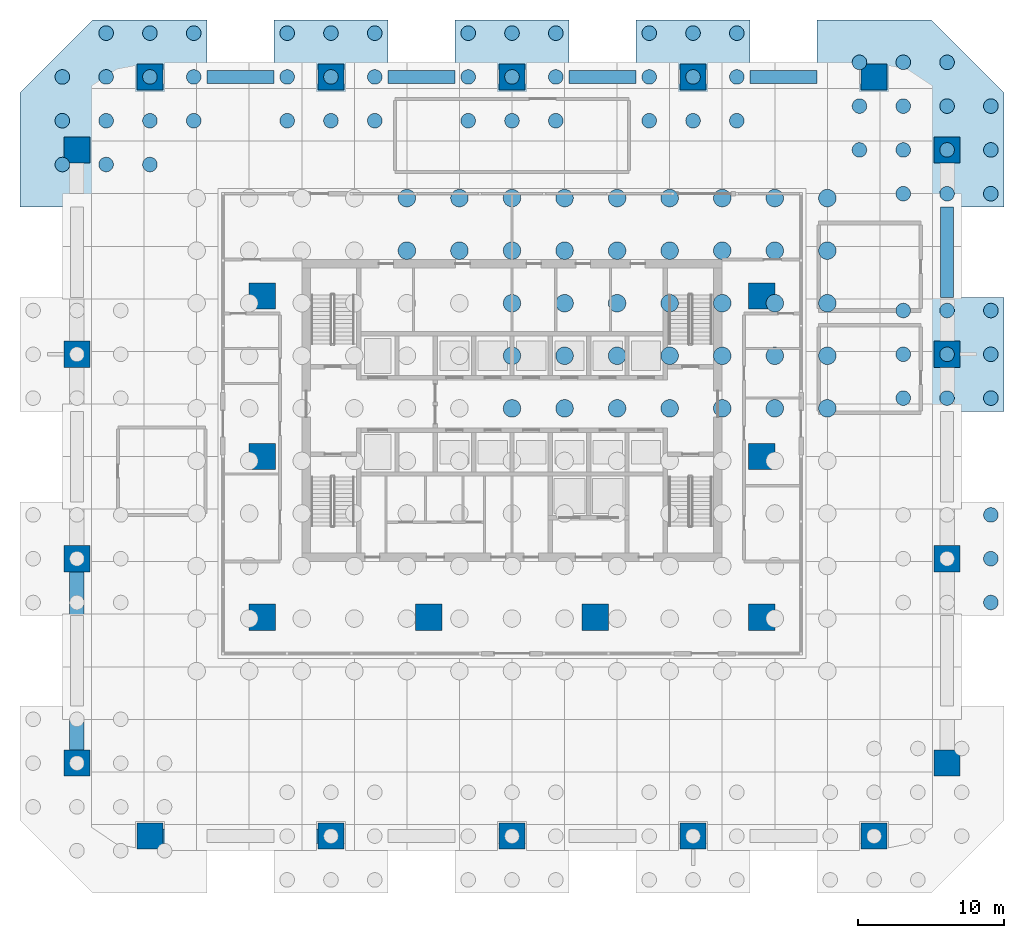
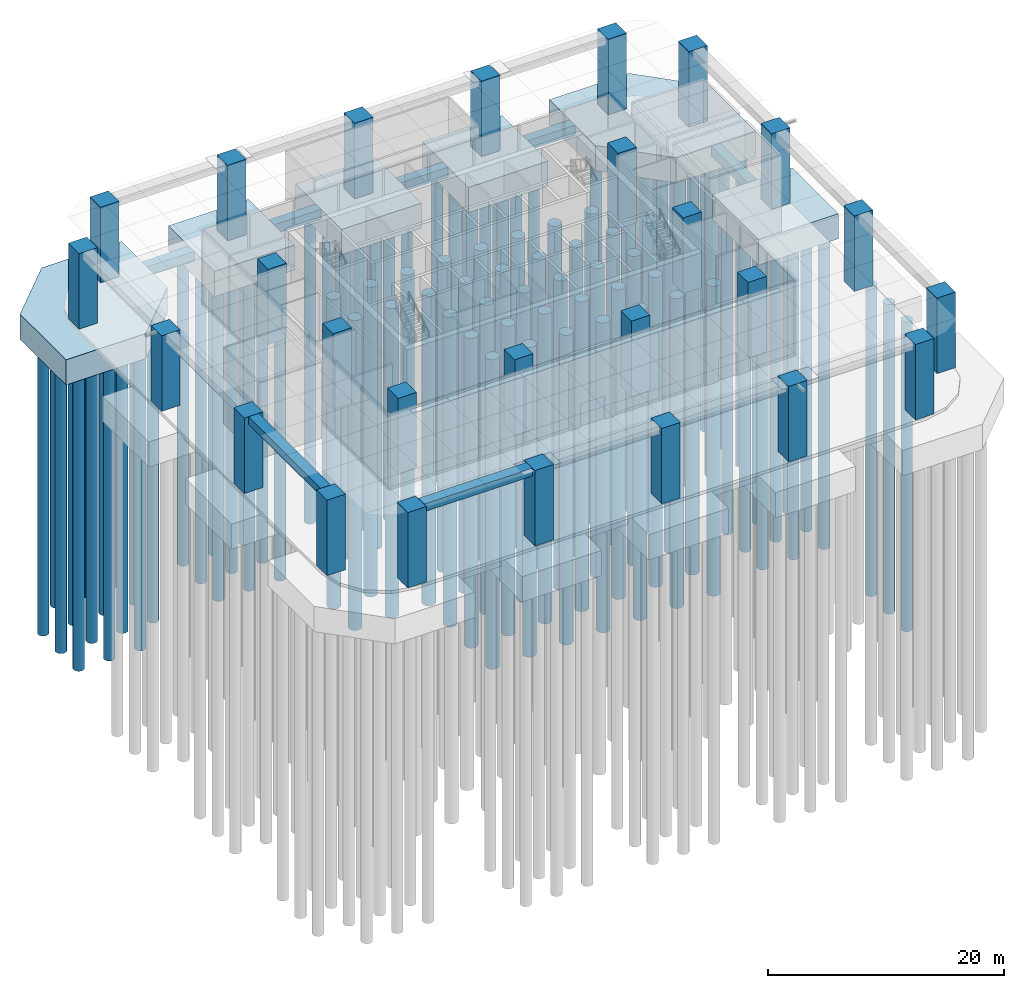
# One storey, part 2 of 18: 106 piles, 26 columns, 11 footings, 2 beams.
"""IFC4 building model written with IfcOpenShell, lengths in metres."""

from ifc_helpers import new_model, si_unit, direction, frame, origin, origin_2d, place, context, subcontext, project, spatial, polyline, rectangle, circle, outline, extrude, material, layer, layer_set, material_profile, profile_set, type_object, element, save


model = new_model("IFC4")

# Units and contexts
model_context = context("Model", 3, precision=1e-05, world=origin(), true_north=direction((0.0, 1.0)))
body_context = subcontext(model_context, "Body", "Model", "MODEL_VIEW")
ifc_project = project(units=[si_unit("LENGTHUNIT", "METRE"), si_unit("AREAUNIT", "SQUARE_METRE"), si_unit("VOLUMEUNIT", "CUBIC_METRE"), si_unit("PLANEANGLEUNIT", "RADIAN"), si_unit("MASSUNIT", "GRAM", prefix="KILO")], contexts=[model_context])

# Site, building, storey
site_placement = place(None, origin())
site = spatial("IfcSite", under=ifc_project, at=site_placement, CompositionType="ELEMENT")
building_placement = place(site_placement, origin())
building = spatial("IfcBuilding", under=site, at=building_placement, Name="Mopane Tessera Tower", CompositionType="ELEMENT")
storey_placement = place(building_placement, origin())
storey = spatial("IfcBuildingStorey", under=building, at=storey_placement, Name="L00", CompositionType="ELEMENT", Elevation=0.0)

# Piles
ifc_material_1 = material(Name="Concrete C35/45", Category="concrete")
ifc_material_profile_1 = material_profile(ifc_material_1, circle(Radius=0.5, at=origin_2d()))
ifc_profile_set_1 = profile_set([ifc_material_profile_1], Name="Concrete C35/45")
pile_type_1 = type_object("IfcPileType", Name="Bored pile 1000 mm", PredefinedType="BORED", material=ifc_profile_set_1)
for number, where, z_axis, x_axis, name in (
    (1, (32.800048828125, -10.0, -2.89990234375), (0.0, 0.0, -1.0), (1.0, 0.0, 0.0), "s:pile:E1:+0328:-0100"),
    (2, (32.800048828125, -7.0, -2.89990234375), (0.0, 0.0, -1.0), (1.0, 0.0, 0.0), "s:pile:E1:+0328:-0070"),
    (3, (32.800048828125, -4.0, -2.89990234375), (0.0, 0.0, -1.0), (1.0, 0.0, 0.0), "s:pile:E1:+0328:-0040"),
    (4, (26.800048828125, 4.0, -2.89990234375), (0.0, 0.0, -1.0), (1.0, 0.0, 0.0), "s:pile:E2:+0268:+0040"),
    (5, (26.800048828125, 7.0, -2.89990234375), (0.0, 0.0, -1.0), (1.0, 0.0, 0.0), "s:pile:E2:+0268:+0070"),
    (6, (26.800048828125, 10.0, -2.89990234375), (0.0, 0.0, -1.0), (1.0, 0.0, 0.0), "s:pile:E2:+0268:+0100"),
    (7, (29.800048828125, 4.0, -2.89990234375), (0.0, 0.0, -1.0), (1.0, 0.0, 0.0), "s:pile:E2:+0298:+0040"),
    (8, (29.800048828125, 7.0, -2.89990234375), (0.0, 0.0, -1.0), (1.0, 0.0, 0.0), "s:pile:E2:+0298:+0070"),
    (9, (29.800048828125, 10.0, -2.89990234375), (0.0, 0.0, -1.0), (1.0, 0.0, 0.0), "s:pile:E2:+0298:+0100"),
    (10, (32.800048828125, 4.0, -2.89990234375), (0.0, 0.0, -1.0), (1.0, 0.0, 0.0), "s:pile:E2:+0328:+0040"),
    (11, (32.800048828125, 7.0, -2.89990234375), (0.0, 0.0, -1.0), (1.0, 0.0, 0.0), "s:pile:E2:+0328:+0070"),
    (12, (32.800048828125, 10.0, -2.89990234375), (0.0, 0.0, -1.0), (1.0, 0.0, 0.0), "s:pile:E2:+0328:+0100"),
    (13, (9.39990234375, 23.0, -2.89990234375), (0.0, 0.0, -1.0), (1.0, 0.0, 0.0), "s:pile:N1:+0094:+0230"),
    (14, (9.39990234375, 26.0, -2.89990234375), (0.0, 0.0, -1.0), (1.0, 0.0, 0.0), "s:pile:N1:+0094:+0260"),
    (15, (9.39990234375, 29.0, -2.89990234375), (0.0, 0.0, -1.0), (1.0, 0.0, 0.0), "s:pile:N1:+0094:+0290"),
    (16, (12.39990234375, 23.0, -2.89990234375), (0.0, 0.0, -1.0), (1.0, 0.0, 0.0), "s:pile:N1:+0124:+0230"),
    (17, (12.39990234375, 26.0, -2.89990234375), (0.0, 0.0, -1.0), (1.0, 0.0, 0.0), "s:pile:N1:+0124:+0260"),
    (18, (12.39990234375, 29.0, -2.89990234375), (0.0, 0.0, -1.0), (1.0, 0.0, 0.0), "s:pile:N1:+0124:+0290"),
    (19, (15.39990234375, 23.0, -2.89990234375), (0.0, 0.0, -1.0), (1.0, 0.0, 0.0), "s:pile:N1:+0154:+0230"),
    (20, (15.39990234375, 26.0, -2.89990234375), (0.0, 0.0, -1.0), (1.0, 0.0, 0.0), "s:pile:N1:+0154:+0260"),
    (21, (15.39990234375, 29.0, -2.89990234375), (0.0, 0.0, -1.0), (1.0, 0.0, 0.0), "s:pile:N1:+0154:+0290"),
    (22, (-3.0, 23.0, -2.89990234375), (0.0, 0.0, -1.0), (1.0, 0.0, 0.0), "s:pile:N2:-0030:+0230"),
    (23, (-3.0, 26.0, -2.89990234375), (0.0, 0.0, -1.0), (1.0, 0.0, 0.0), "s:pile:N2:-0030:+0260"),
    (24, (-3.0, 29.0, -2.89990234375), (0.0, 0.0, -1.0), (1.0, 0.0, 0.0), "s:pile:N2:-0030:+0290"),
    (25, (0.0, 23.0, -2.89990234375), (0.0, 0.0, -1.0), (1.0, 0.0, 0.0), "s:pile:N2:+0000:+0230"),
    (26, (0.0, 26.0, -2.89990234375), (0.0, 0.0, -1.0), (1.0, 0.0, 0.0), "s:pile:N2:+0000:+0260"),
    (27, (0.0, 29.0, -2.89990234375), (0.0, 0.0, -1.0), (1.0, 0.0, 0.0), "s:pile:N2:+0000:+0290"),
    (28, (3.0, 23.0, -2.89990234375), (0.0, 0.0, -1.0), (1.0, 0.0, 0.0), "s:pile:N2:+0030:+0230"),
    (29, (3.0, 26.0, -2.89990234375), (0.0, 0.0, -1.0), (1.0, 0.0, 0.0), "s:pile:N2:+0030:+0260"),
    (30, (3.0, 29.0, -2.89990234375), (0.0, 0.0, -1.0), (1.0, 0.0, 0.0), "s:pile:N2:+0030:+0290"),
    (31, (-15.39990234375, 23.0, -2.89990234375), (0.0, 0.0, -1.0), (1.0, 0.0, 0.0), "s:pile:N3:-0154:+0230"),
    (32, (-15.39990234375, 26.0, -2.89990234375), (0.0, 0.0, -1.0), (1.0, 0.0, 0.0), "s:pile:N3:-0154:+0260"),
    (33, (-15.39990234375, 29.0, -2.89990234375), (0.0, 0.0, -1.0), (1.0, 0.0, 0.0), "s:pile:N3:-0154:+0290"),
    (34, (-12.39990234375, 23.0, -2.89990234375), (0.0, 0.0, -1.0), (1.0, 0.0, 0.0), "s:pile:N3:-0124:+0230"),
    (35, (-12.39990234375, 26.0, -2.89990234375), (0.0, 0.0, -1.0), (1.0, 0.0, 0.0), "s:pile:N3:-0124:+0260"),
    (36, (-12.39990234375, 29.0, -2.89990234375), (0.0, 0.0, -1.0), (1.0, 0.0, 0.0), "s:pile:N3:-0124:+0290"),
    (37, (-9.39990234375, 23.0, -2.89990234375), (0.0, 0.0, -1.0), (1.0, 0.0, 0.0), "s:pile:N3:-0094:+0230"),
    (38, (-9.39990234375, 26.0, -2.89990234375), (0.0, 0.0, -1.0), (1.0, 0.0, 0.0), "s:pile:N3:-0094:+0260"),
    (39, (-9.39990234375, 29.0, -2.89990234375), (0.0, 0.0, -1.0), (1.0, 0.0, 0.0), "s:pile:N3:-0094:+0290"),
    (40, (23.800048828125, 21.0, -2.89990234375), (0.0, 0.0, -1.0), (1.0, 0.0, 0.0), "s:pile:E3-N0:+0238:+0210"),
    (41, (23.800048828125, 24.0, -2.89990234375), (0.0, 0.0, -1.0), (1.0, 0.0, 0.0), "s:pile:E3-N0:+0238:+0240"),
    (42, (23.800048828125, 27.0, -2.89990234375), (0.0, 0.0, -1.0), (1.0, 0.0, 0.0), "s:pile:E3-N0:+0238:+0270"),
    (43, (26.800048828125, 18.0, -2.89990234375), (0.0, 0.0, -1.0), (1.0, 0.0, 0.0), "s:pile:E3-N0:+0268:+0180"),
    (44, (26.800048828125, 21.0, -2.89990234375), (0.0, 0.0, -1.0), (1.0, 0.0, 0.0), "s:pile:E3-N0:+0268:+0210"),
    (45, (26.800048828125, 24.0, -2.89990234375), (0.0, 0.0, -1.0), (1.0, 0.0, 0.0), "s:pile:E3-N0:+0268:+0240"),
    (46, (26.800048828125, 27.0, -2.89990234375), (0.0, 0.0, -1.0), (1.0, 0.0, 0.0), "s:pile:E3-N0:+0268:+0270"),
    (47, (29.800048828125, 18.0, -2.89990234375), (0.0, 0.0, -1.0), (1.0, 0.0, 0.0), "s:pile:E3-N0:+0298:+0180"),
    (48, (29.800048828125, 21.0, -2.89990234375), (0.0, 0.0, -1.0), (1.0, 0.0, 0.0), "s:pile:E3-N0:+0298:+0210"),
    (49, (29.800048828125, 24.0, -2.89990234375), (0.0, 0.0, -1.0), (1.0, 0.0, 0.0), "s:pile:E3-N0:+0298:+0240"),
    (50, (29.800048828125, 27.0, -2.89990234375), (0.0, 0.0, -1.0), (1.0, 0.0, 0.0), "s:pile:E3-N0:+0298:+0270"),
    (51, (32.800048828125, 18.0, -2.89990234375), (0.0, 0.0, -1.0), (1.0, 0.0, 0.0), "s:pile:E3-N0:+0328:+0180"),
    (52, (32.800048828125, 21.0, -2.89990234375), (0.0, 0.0, -1.0), (1.0, 0.0, 0.0), "s:pile:E3-N0:+0328:+0210"),
    (53, (32.800048828125, 24.0, -2.89990234375), (0.0, 0.0, -1.0), (1.0, 0.0, 0.0), "s:pile:E3-N0:+0328:+0240"),
    (54, (-30.800048828125, 20.0, -2.89990234375), (0.0, 0.0, -1.0), (1.0, 0.0, 0.0), "s:pile:N4-W0:-0308:+0200"),
    (55, (-30.800048828125, 23.0, -2.89990234375), (0.0, 0.0, -1.0), (1.0, 0.0, 0.0), "s:pile:N4-W0:-0308:+0230"),
    (56, (-30.800048828125, 26.0, -2.89990234375), (0.0, 0.0, -1.0), (1.0, 0.0, 0.0), "s:pile:N4-W0:-0308:+0260"),
    (57, (-27.800048828125, 20.0, -2.89990234375), (0.0, 0.0, -1.0), (1.0, 0.0, 0.0), "s:pile:N4-W0:-0278:+0200"),
    (58, (-27.800048828125, 23.0, -2.89990234375), (0.0, 0.0, -1.0), (1.0, 0.0, 0.0), "s:pile:N4-W0:-0278:+0230"),
    (59, (-27.800048828125, 26.0, -2.89990234375), (0.0, 0.0, -1.0), (1.0, 0.0, 0.0), "s:pile:N4-W0:-0278:+0260"),
    (60, (-27.800048828125, 29.0, -2.89990234375), (0.0, 0.0, -1.0), (1.0, 0.0, 0.0), "s:pile:N4-W0:-0278:+0290"),
    (61, (-24.800048828125, 20.0, -2.89990234375), (0.0, 0.0, -1.0), (1.0, 0.0, 0.0), "s:pile:N4-W0:-0248:+0200"),
    (62, (-24.800048828125, 23.0, -2.89990234375), (0.0, 0.0, -1.0), (1.0, 0.0, 0.0), "s:pile:N4-W0:-0248:+0230"),
    (63, (-24.800048828125, 26.0, -2.89990234375), (0.0, 0.0, -1.0), (1.0, 0.0, 0.0), "s:pile:N4-W0:-0248:+0260"),
    (64, (-24.800048828125, 29.0, -2.89990234375), (0.0, 0.0, -1.0), (1.0, 0.0, 0.0), "s:pile:N4-W0:-0248:+0290"),
    (65, (-21.800048828125, 23.0, -2.89990234375), (0.0, 0.0, -1.0), (1.0, 0.0, 0.0), "s:pile:N4-W0:-0218:+0230"),
    (66, (-21.800048828125, 26.0, -2.89990234375), (0.0, 0.0, -1.0), (1.0, 0.0, 0.0), "s:pile:N4-W0:-0218:+0260"),
    (67, (-21.800048828125, 29.0, -2.89990234375), (0.0, 0.0, -1.0), (1.0, 0.0, 0.0), "s:pile:N4-W0:-0218:+0290"),
):
    element("IfcPile", number, at=place(storey_placement, frame(where, z_axis=z_axis, x_axis=x_axis)), inside=storey, type_object=pile_type_1, Name=name, PredefinedType="BORED", context=body_context, shape_type="SweptSolid", body=[
        extrude(circle(Radius=0.5, at=origin_2d()), origin(), (0.0, 0.0, 1.0), 32.0),
    ])
ifc_material_2 = material(Name="Concrete C35/45", Category="concrete")
ifc_material_profile_2 = material_profile(ifc_material_2, circle(Radius=0.60009765625, at=origin_2d()))
ifc_profile_set_2 = profile_set([ifc_material_profile_2], Name="Concrete C35/45")
pile_type_2 = type_object("IfcPileType", Name="Bored pile 1200 mm", PredefinedType="BORED", material=ifc_profile_set_2)
for number, where, z_axis, x_axis, name in (
    (68, (-7.199951171875, 14.10009765625, -3.300048828125), (0.0, 0.0, -1.0), (1.0, 0.0, 0.0), "s:pile:R:04:08"),
    (69, (-7.199951171875, 17.699951171875, -3.300048828125), (0.0, 0.0, -1.0), (1.0, 0.0, 0.0), "s:pile:R:04:09"),
    (70, (-3.60009765625, 14.10009765625, -3.300048828125), (0.0, 0.0, -1.0), (1.0, 0.0, 0.0), "s:pile:R:05:08"),
    (71, (-3.60009765625, 17.699951171875, -3.300048828125), (0.0, 0.0, -1.0), (1.0, 0.0, 0.0), "s:pile:R:05:09"),
    (72, (0.0, 3.300048828125, -3.300048828125), (0.0, 0.0, -1.0), (1.0, 0.0, 0.0), "s:pile:R:06:05"),
    (73, (0.0, 6.89990234375, -3.300048828125), (0.0, 0.0, -1.0), (1.0, 0.0, 0.0), "s:pile:R:06:06"),
    (74, (0.0, 10.5, -3.300048828125), (0.0, 0.0, -1.0), (1.0, 0.0, 0.0), "s:pile:R:06:07"),
    (75, (0.0, 14.10009765625, -3.300048828125), (0.0, 0.0, -1.0), (1.0, 0.0, 0.0), "s:pile:R:06:08"),
    (76, (0.0, 17.699951171875, -3.300048828125), (0.0, 0.0, -1.0), (1.0, 0.0, 0.0), "s:pile:R:06:09"),
    (77, (3.60009765625, 3.300048828125, -3.300048828125), (0.0, 0.0, -1.0), (1.0, 0.0, 0.0), "s:pile:R:07:05"),
    (78, (3.60009765625, 6.89990234375, -3.300048828125), (0.0, 0.0, -1.0), (1.0, 0.0, 0.0), "s:pile:R:07:06"),
    (79, (3.60009765625, 10.5, -3.300048828125), (0.0, 0.0, -1.0), (1.0, 0.0, 0.0), "s:pile:R:07:07"),
    (80, (3.60009765625, 14.10009765625, -3.300048828125), (0.0, 0.0, -1.0), (1.0, 0.0, 0.0), "s:pile:R:07:08"),
    (81, (3.60009765625, 17.699951171875, -3.300048828125), (0.0, 0.0, -1.0), (1.0, 0.0, 0.0), "s:pile:R:07:09"),
    (82, (7.199951171875, 3.300048828125, -3.300048828125), (0.0, 0.0, -1.0), (1.0, 0.0, 0.0), "s:pile:R:08:05"),
    (83, (7.199951171875, 6.89990234375, -3.300048828125), (0.0, 0.0, -1.0), (1.0, 0.0, 0.0), "s:pile:R:08:06"),
    (84, (7.199951171875, 10.5, -3.300048828125), (0.0, 0.0, -1.0), (1.0, 0.0, 0.0), "s:pile:R:08:07"),
    (85, (7.199951171875, 14.10009765625, -3.300048828125), (0.0, 0.0, -1.0), (1.0, 0.0, 0.0), "s:pile:R:08:08"),
    (86, (7.199951171875, 17.699951171875, -3.300048828125), (0.0, 0.0, -1.0), (1.0, 0.0, 0.0), "s:pile:R:08:09"),
    (87, (10.800048828125, 3.300048828125, -3.300048828125), (0.0, 0.0, -1.0), (1.0, 0.0, 0.0), "s:pile:R:09:05"),
    (88, (10.800048828125, 6.89990234375, -3.300048828125), (0.0, 0.0, -1.0), (1.0, 0.0, 0.0), "s:pile:R:09:06"),
    (89, (10.800048828125, 10.5, -3.300048828125), (0.0, 0.0, -1.0), (1.0, 0.0, 0.0), "s:pile:R:09:07"),
    (90, (10.800048828125, 14.10009765625, -3.300048828125), (0.0, 0.0, -1.0), (1.0, 0.0, 0.0), "s:pile:R:09:08"),
    (91, (10.800048828125, 17.699951171875, -3.300048828125), (0.0, 0.0, -1.0), (1.0, 0.0, 0.0), "s:pile:R:09:09"),
    (92, (14.39990234375, 3.300048828125, -3.300048828125), (0.0, 0.0, -1.0), (1.0, 0.0, 0.0), "s:pile:R:10:05"),
    (93, (14.39990234375, 6.89990234375, -3.300048828125), (0.0, 0.0, -1.0), (1.0, 0.0, 0.0), "s:pile:R:10:06"),
    (94, (14.39990234375, 10.5, -3.300048828125), (0.0, 0.0, -1.0), (1.0, 0.0, 0.0), "s:pile:R:10:07"),
    (95, (14.39990234375, 14.10009765625, -3.300048828125), (0.0, 0.0, -1.0), (1.0, 0.0, 0.0), "s:pile:R:10:08"),
    (96, (14.39990234375, 17.699951171875, -3.300048828125), (0.0, 0.0, -1.0), (1.0, 0.0, 0.0), "s:pile:R:10:09"),
    (97, (18.0, 3.300048828125, -3.300048828125), (0.0, 0.0, -1.0), (1.0, 0.0, 0.0), "s:pile:R:11:05"),
    (98, (18.0, 6.89990234375, -3.300048828125), (0.0, 0.0, -1.0), (1.0, 0.0, 0.0), "s:pile:R:11:06"),
    (99, (18.0, 10.5, -3.300048828125), (0.0, 0.0, -1.0), (1.0, 0.0, 0.0), "s:pile:R:11:07"),
    (100, (18.0, 14.10009765625, -3.300048828125), (0.0, 0.0, -1.0), (1.0, 0.0, 0.0), "s:pile:R:11:08"),
    (101, (18.0, 17.699951171875, -3.300048828125), (0.0, 0.0, -1.0), (1.0, 0.0, 0.0), "s:pile:R:11:09"),
    (102, (21.60009765625, 3.300048828125, -3.300048828125), (0.0, 0.0, -1.0), (1.0, 0.0, 0.0), "s:pile:R:12:05"),
    (103, (21.60009765625, 6.89990234375, -3.300048828125), (0.0, 0.0, -1.0), (1.0, 0.0, 0.0), "s:pile:R:12:06"),
    (104, (21.60009765625, 10.5, -3.300048828125), (0.0, 0.0, -1.0), (1.0, 0.0, 0.0), "s:pile:R:12:07"),
    (105, (21.60009765625, 14.10009765625, -3.300048828125), (0.0, 0.0, -1.0), (1.0, 0.0, 0.0), "s:pile:R:12:08"),
    (106, (21.60009765625, 17.699951171875, -3.300048828125), (0.0, 0.0, -1.0), (1.0, 0.0, 0.0), "s:pile:R:12:09"),
):
    element("IfcPile", number, at=place(storey_placement, frame(where, z_axis=z_axis, x_axis=x_axis)), inside=storey, type_object=pile_type_2, Name=name, PredefinedType="BORED", context=body_context, shape_type="SweptSolid", body=[
        extrude(circle(Radius=0.60009765625, at=origin_2d()), origin(), (0.0, 0.0, 1.0), 32.0),
    ])

# Footings
ifc_material_3 = material(Name="Concrete C40/50", Category="concrete")
ifc_layer_1 = layer(ifc_material_3, 2.60009765625)
ifc_layer_set_1 = layer_set([ifc_layer_1], Name="Concrete C40/50")
footing_type_1 = type_object("IfcFootingType", Name="Corner pile cap 2600 mm", PredefinedType="PILE_CAP", material=ifc_layer_set_1)
footing_1_placement = place(storey_placement, frame((0.0, 0.0, -2.89990234375)))
element("IfcFooting", 107, at=footing_1_placement, inside=storey, type_object=footing_type_1, Name="cap:E3-N0", PredefinedType="PILE_CAP", context=body_context, shape_type="SweptSolid", body=[
    extrude(outline(polyline([(33.699951171875, 17.10009765625), (33.699951171875, 24.89990234375), (28.699951171875, 29.89990234375), (20.89990234375, 29.89990234375), (20.89990234375, 22.10009765625), (25.89990234375, 17.10009765625), (33.699951171875, 17.10009765625)])), origin(), (0.0, 0.0, 1.0), 2.599853515625),
])
footing_2_placement = place(storey_placement, frame((0.0, 0.0, -2.89990234375)))
element("IfcFooting", 108, at=footing_2_placement, inside=storey, type_object=footing_type_1, Name="cap:N4-W0", PredefinedType="PILE_CAP", context=body_context, shape_type="SweptSolid", body=[
    extrude(outline(polyline([(-25.89990234375, 17.10009765625), (-20.89990234375, 22.10009765625), (-20.89990234375, 29.89990234375), (-28.699951171875, 29.89990234375), (-33.699951171875, 24.89990234375), (-33.699951171875, 17.10009765625), (-25.89990234375, 17.10009765625)])), origin(), (0.0, 0.0, 1.0), 2.599853515625),
])
ifc_material_4 = material(Name="Concrete C40/50", Category="concrete")
footing_type_2 = type_object("IfcFootingType", Name="Ground beam 900 MM x 1000 MM", PredefinedType="FOOTING_BEAM", material=ifc_material_4)
footing_3_placement = place(storey_placement, frame((0.0, 0.0, -1.300048828125)))
element("IfcFooting", 109, at=footing_3_placement, inside=storey, type_object=footing_type_2, Name="Ground beam E2-E3", PredefinedType="FOOTING_BEAM", context=body_context, shape_type="SweptSolid", body=[
    extrude(outline(polyline([(30.25, 17.10009765625), (29.35009765625, 17.10009765625), (29.35009765625, 10.89990234375), (30.25, 10.89990234375), (30.25, 17.10009765625)])), origin(), (0.0, 0.0, 1.0), 1.0),
])
footing_4_placement = place(storey_placement, frame((0.0, 0.0, -1.300048828125)))
element("IfcFooting", 110, at=footing_4_placement, inside=storey, type_object=footing_type_2, Name="Ground beam N0-N1", PredefinedType="FOOTING_BEAM", context=body_context, shape_type="SweptSolid", body=[
    extrude(outline(polyline([(20.89990234375, 26.449951171875), (16.300048828125, 26.449951171875), (16.300048828125, 25.550048828125), (20.89990234375, 25.550048828125), (20.89990234375, 26.449951171875)])), origin(), (0.0, 0.0, 1.0), 1.0),
])
footing_5_placement = place(storey_placement, frame((0.0, 0.0, -1.300048828125)))
element("IfcFooting", 111, at=footing_5_placement, inside=storey, type_object=footing_type_2, Name="Ground beam N1-N2", PredefinedType="FOOTING_BEAM", context=body_context, shape_type="SweptSolid", body=[
    extrude(outline(polyline([(8.5, 26.449951171875), (3.89990234375, 26.449951171875), (3.89990234375, 25.550048828125), (8.5, 25.550048828125), (8.5, 26.449951171875)])), origin(), (0.0, 0.0, 1.0), 1.0),
])
footing_6_placement = place(storey_placement, frame((0.0, 0.0, -1.300048828125)))
element("IfcFooting", 112, at=footing_6_placement, inside=storey, type_object=footing_type_2, Name="Ground beam N2-N3", PredefinedType="FOOTING_BEAM", context=body_context, shape_type="SweptSolid", body=[
    extrude(outline(polyline([(-3.89990234375, 26.449951171875), (-8.5, 26.449951171875), (-8.5, 25.550048828125), (-3.89990234375, 25.550048828125), (-3.89990234375, 26.449951171875)])), origin(), (0.0, 0.0, 1.0), 1.0),
])
footing_7_placement = place(storey_placement, frame((0.0, 0.0, -1.300048828125)))
element("IfcFooting", 113, at=footing_7_placement, inside=storey, type_object=footing_type_2, Name="Ground beam N3-N4", PredefinedType="FOOTING_BEAM", context=body_context, shape_type="SweptSolid", body=[
    extrude(outline(polyline([(-16.300048828125, 26.449951171875), (-20.89990234375, 26.449951171875), (-20.89990234375, 25.550048828125), (-16.300048828125, 25.550048828125), (-16.300048828125, 26.449951171875)])), origin(), (0.0, 0.0, 1.0), 1.0),
])
ifc_material_5 = material(Name="Concrete C40/50", Category="concrete")
ifc_layer_2 = layer(ifc_material_5, 2.60009765625)
ifc_layer_set_2 = layer_set([ifc_layer_2], Name="Concrete C40/50")
footing_type_3 = type_object("IfcFootingType", Name="Perimeter pile cap 2600 mm", PredefinedType="PILE_CAP", material=ifc_layer_set_2)
footing_8_placement = place(storey_placement, frame((0.0, 0.0, -2.89990234375)))
element("IfcFooting", 114, at=footing_8_placement, inside=storey, type_object=footing_type_3, Name="cap:E2", PredefinedType="PILE_CAP", context=body_context, shape_type="SweptSolid", body=[
    extrude(outline(polyline([(33.699951171875, 10.89990234375), (25.89990234375, 10.89990234375), (25.89990234375, 3.10009765625), (33.699951171875, 3.10009765625), (33.699951171875, 10.89990234375)])), origin(), (0.0, 0.0, 1.0), 2.599853515625),
])
footing_9_placement = place(storey_placement, frame((0.0, 0.0, -2.89990234375)))
element("IfcFooting", 115, at=footing_9_placement, inside=storey, type_object=footing_type_3, Name="cap:N1", PredefinedType="PILE_CAP", context=body_context, shape_type="SweptSolid", body=[
    extrude(outline(polyline([(16.300048828125, 29.89990234375), (8.5, 29.89990234375), (8.5, 22.10009765625), (16.300048828125, 22.10009765625), (16.300048828125, 29.89990234375)])), origin(), (0.0, 0.0, 1.0), 2.599853515625),
])
footing_10_placement = place(storey_placement, frame((0.0, 0.0, -2.89990234375)))
element("IfcFooting", 116, at=footing_10_placement, inside=storey, type_object=footing_type_3, Name="cap:N2", PredefinedType="PILE_CAP", context=body_context, shape_type="SweptSolid", body=[
    extrude(outline(polyline([(3.89990234375, 29.89990234375), (-3.89990234375, 29.89990234375), (-3.89990234375, 22.10009765625), (3.89990234375, 22.10009765625), (3.89990234375, 29.89990234375)])), origin(), (0.0, 0.0, 1.0), 2.599853515625),
])
footing_11_placement = place(storey_placement, frame((0.0, 0.0, -2.89990234375)))
element("IfcFooting", 117, at=footing_11_placement, inside=storey, type_object=footing_type_3, Name="cap:N3", PredefinedType="PILE_CAP", context=body_context, shape_type="SweptSolid", body=[
    extrude(outline(polyline([(-8.5, 29.89990234375), (-16.300048828125, 29.89990234375), (-16.300048828125, 22.10009765625), (-8.5, 22.10009765625), (-8.5, 29.89990234375)])), origin(), (0.0, 0.0, 1.0), 2.599853515625),
])

# Columns
ifc_material_6 = material(Name="Concrete C60/75", Category="concrete")
ifc_material_profile_3 = material_profile(ifc_material_6, rectangle(XDim=1.800048828125, YDim=1.800048828125, at=origin_2d()))
ifc_profile_set_3 = profile_set([ifc_material_profile_3], Name="Concrete C60/75")
column_type_1 = type_object("IfcColumnType", Name="Interior column 1800 x 1800 C60/75", PredefinedType="COLUMN", material=ifc_profile_set_3)
for number, where, z_axis, x_axis, name in (
    (118, (-17.10009765625, -11.0, 0.0), (0.0, 0.0, 1.0), (1.0, 0.0, 0.0), "Interior column I1A L00"),
    (119, (-17.10009765625, 0.0, 0.0), (0.0, 0.0, 1.0), (1.0, 0.0, 0.0), "Interior column I1B L00"),
    (120, (-17.10009765625, 11.0, 0.0), (0.0, 0.0, 1.0), (1.0, 0.0, 0.0), "Interior column I1C L00"),
    (121, (-5.699951171875, -11.0, 0.0), (0.0, 0.0, 1.0), (1.0, 0.0, 0.0), "Interior column I2A L00"),
    (122, (5.699951171875, -11.0, 0.0), (0.0, 0.0, 1.0), (1.0, 0.0, 0.0), "Interior column I3A L00"),
    (123, (17.10009765625, -11.0, 0.0), (0.0, 0.0, 1.0), (1.0, 0.0, 0.0), "Interior column I4A L00"),
    (124, (17.10009765625, 0.0, 0.0), (0.0, 0.0, 1.0), (1.0, 0.0, 0.0), "Interior column I4B L00"),
    (125, (17.10009765625, 11.0, 0.0), (0.0, 0.0, 1.0), (1.0, 0.0, 0.0), "Interior column I4C L00"),
):
    element("IfcColumn", number, at=place(storey_placement, frame(where, z_axis=z_axis, x_axis=x_axis)), inside=storey, type_object=column_type_1, Name=name, PredefinedType="COLUMN", context=body_context, shape_type="SweptSolid", body=[
        extrude(rectangle(XDim=1.800048828125, YDim=1.800048828125, at=origin_2d()), origin(), (0.0, 0.0, 1.0), 7.800048828125),
    ])
ifc_material_7 = material(Name="Concrete C60/75", Category="concrete")
ifc_material_profile_4 = material_profile(ifc_material_7, rectangle(XDim=1.800048828125, YDim=1.800048828125, at=origin_2d()))
ifc_profile_set_4 = profile_set([ifc_material_profile_4], Name="Concrete C60/75")
column_type_2 = type_object("IfcColumnType", Name="Ring column 1800 x 1800 C60/75", PredefinedType="COLUMN", material=ifc_profile_set_4)
for number, where, z_axis, x_axis, name in (
    (126, (-24.800048828125, -26.0, 0.0), (0.0, 0.0, 1.0), (1.0, 0.0, 0.0), "Ring column S0 L00"),
    (127, (-12.39990234375, -26.0, 0.0), (0.0, 0.0, 1.0), (1.0, 0.0, 0.0), "Ring column S1 L00"),
    (128, (0.0, -26.0, 0.0), (0.0, 0.0, 1.0), (1.0, 0.0, 0.0), "Ring column S2 L00"),
    (129, (12.39990234375, -26.0, 0.0), (0.0, 0.0, 1.0), (1.0, 0.0, 0.0), "Ring column S3 L00"),
    (130, (24.800048828125, -26.0, 0.0), (0.0, 0.0, 1.0), (1.0, 0.0, 0.0), "Ring column S4 L00"),
    (131, (29.800048828125, -21.0, 0.0), (0.0, 0.0, 1.0), (1.0, 0.0, 0.0), "Ring column E0 L00"),
    (132, (29.800048828125, -7.0, 0.0), (0.0, 0.0, 1.0), (1.0, 0.0, 0.0), "Ring column E1 L00"),
    (133, (29.800048828125, 7.0, 0.0), (0.0, 0.0, 1.0), (1.0, 0.0, 0.0), "Ring column E2 L00"),
    (134, (29.800048828125, 21.0, 0.0), (0.0, 0.0, 1.0), (1.0, 0.0, 0.0), "Ring column E3 L00"),
    (135, (24.800048828125, 26.0, 0.0), (0.0, 0.0, 1.0), (1.0, 0.0, 0.0), "Ring column N0 L00"),
    (136, (12.39990234375, 26.0, 0.0), (0.0, 0.0, 1.0), (1.0, 0.0, 0.0), "Ring column N1 L00"),
    (137, (0.0, 26.0, 0.0), (0.0, 0.0, 1.0), (1.0, 0.0, 0.0), "Ring column N2 L00"),
    (138, (-12.39990234375, 26.0, 0.0), (0.0, 0.0, 1.0), (1.0, 0.0, 0.0), "Ring column N3 L00"),
    (139, (-24.800048828125, 26.0, 0.0), (0.0, 0.0, 1.0), (1.0, 0.0, 0.0), "Ring column N4 L00"),
    (140, (-29.800048828125, 21.0, 0.0), (0.0, 0.0, 1.0), (1.0, 0.0, 0.0), "Ring column W0 L00"),
    (141, (-29.800048828125, 7.0, 0.0), (0.0, 0.0, 1.0), (1.0, 0.0, 0.0), "Ring column W1 L00"),
    (142, (-29.800048828125, -7.0, 0.0), (0.0, 0.0, 1.0), (1.0, 0.0, 0.0), "Ring column W2 L00"),
    (143, (-29.800048828125, -21.0, 0.0), (0.0, 0.0, 1.0), (1.0, 0.0, 0.0), "Ring column W3 L00"),
):
    element("IfcColumn", number, at=place(storey_placement, frame(where, z_axis=z_axis, x_axis=x_axis)), inside=storey, type_object=column_type_2, Name=name, PredefinedType="COLUMN", context=body_context, shape_type="SweptSolid", body=[
        extrude(rectangle(XDim=1.800048828125, YDim=1.800048828125, at=origin_2d()), origin(), (0.0, 0.0, 1.0), 7.800048828125),
    ])

# Beams
ifc_material_8 = material(Name="Concrete C60/75", Category="concrete")
ifc_material_profile_5 = material_profile(ifc_material_8, rectangle(XDim=1.0, YDim=0.800048828125, at=origin_2d()))
ifc_profile_set_5 = profile_set([ifc_material_profile_5], Name="Concrete C60/75")
beam_type = type_object("IfcBeamType", Name="Stilt ring beam RC 1000 x 800", PredefinedType="BEAM", material=ifc_profile_set_5)
beam_1_placement = place(storey_placement, frame((-23.89990234375, -26.0, 7.39990234375), z_axis=(1.0, 0.0, 0.0), x_axis=(0.0, 1.0, 0.0)))
element("IfcBeam", 144, at=beam_1_placement, inside=storey, type_object=beam_type, Name="Stilt ring beam S0-S1", PredefinedType="BEAM", context=body_context, shape_type="SweptSolid", body=[
    extrude(rectangle(XDim=1.0, YDim=0.800048828125, at=origin_2d()), origin(), (0.0, 0.0, 1.0), 10.599853515625),
])
beam_2_placement = place(storey_placement, frame((-29.800048828125, -20.10009765625, 7.39990234375), z_axis=(0.0, 1.0, 0.0), x_axis=(-1.0, 0.0, 0.0)))
element("IfcBeam", 145, at=beam_2_placement, inside=storey, type_object=beam_type, Name="Stilt ring beam W2-W3", PredefinedType="BEAM", context=body_context, shape_type="SweptSolid", body=[
    extrude(rectangle(XDim=1.0, YDim=0.800048828125, at=origin_2d()), origin(), (0.0, 0.0, 1.0), 12.2001953125),
])

save(model, "model.ifc")
